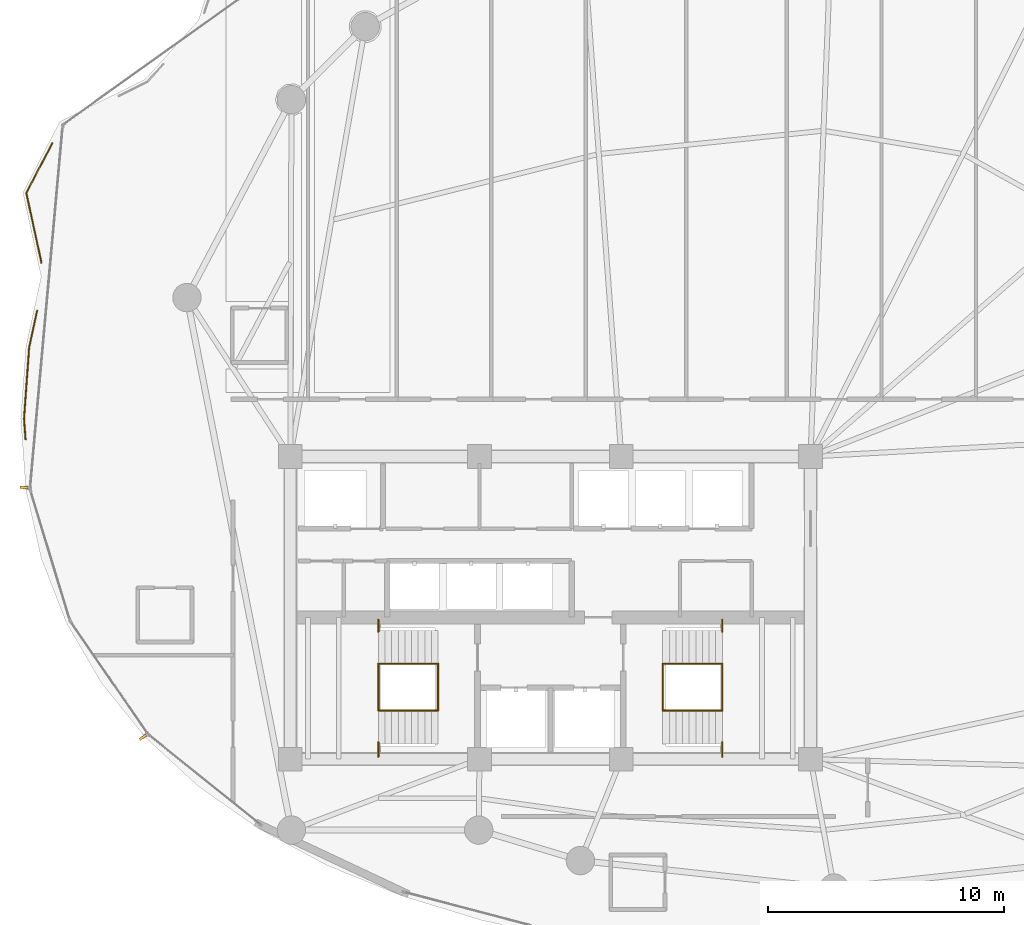
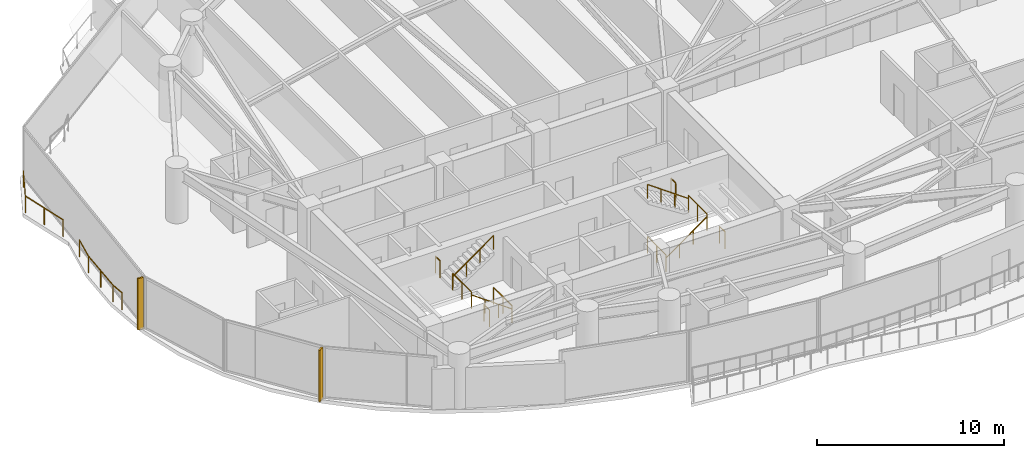
# One storey, part 31 of 33: 14 railings, 2 shading devices.
"""IFC4 building model written with IfcOpenShell, lengths in metres."""

from ifc_helpers import new_model, si_unit, direction, frame, origin, origin_2d, place, context, subcontext, project, spatial, rectangle, extrude, material, type_object, element, save


model = new_model("IFC4")

# Units and contexts
model_context = context("Model", 3, precision=1e-05, world=origin(), true_north=direction((0.0, 1.0)))
body_context = subcontext(model_context, "Body", "Model", "MODEL_VIEW")
ifc_project = project(units=[si_unit("LENGTHUNIT", "METRE"), si_unit("AREAUNIT", "SQUARE_METRE"), si_unit("VOLUMEUNIT", "CUBIC_METRE"), si_unit("PLANEANGLEUNIT", "RADIAN"), si_unit("MASSUNIT", "GRAM", prefix="KILO")], contexts=[model_context])

# Site, building, storey
site_placement = place(None, origin())
site = spatial("IfcSite", under=ifc_project, at=site_placement, CompositionType="ELEMENT")
building_placement = place(site_placement, origin())
building = spatial("IfcBuilding", under=site, at=building_placement, Name="Kazevale Care Tower and Concert Hall", CompositionType="ELEMENT")
storey_placement = place(building_placement, frame((0.0, 0.0, 145.800048828125)))
storey = spatial("IfcBuildingStorey", under=building, at=storey_placement, Name="L38", CompositionType="ELEMENT", Elevation=145.800048828125)

# Railings
ifc_material_1 = material(Name="Anodised Bronze Aluminium and Laminated Glass", Category="aluminium")
railing_type_1 = type_object("IfcRailingType", Name="Balcony and Terrace Balustrade 1120", PredefinedType="BALUSTRADE", material=ifc_material_1)
railing_1_placement = place(storey_placement, frame((10.802978515625, 37.1298828125, 0.0)))
element("IfcRailing", 1, at=railing_1_placement, inside=storey, type_object=railing_type_1, Name="rail:L38:perim:1", PredefinedType="BALUSTRADE", context=body_context, shape_type="SweptSolid", body=[
    extrude(rectangle(XDim=0.048095703125, YDim=0.048095703125, at=origin_2d()), frame((0.0, 0.0, 1.09619140625), z_axis=(-0.072201637043, 0.9973900559, 0.0), x_axis=(-0.9973900559, -0.072201637043, 0.0)), (0.0, 0.0, 1.0), 0.872314453125),
    extrude(rectangle(XDim=0.048095703125, YDim=0.048095703125, at=origin_2d()), frame((-0.06298828125, 0.8701171875, 1.09619140625), z_axis=(0.071442989214, 0.997444684828, 0.0), x_axis=(-0.997444684828, 0.071442989214, 0.0)), (0.0, 0.0, 1.0), 3.0107421875),
    extrude(rectangle(XDim=0.048095703125, YDim=0.048095703125, at=origin_2d()), frame((0.152099609375, 3.873046875, 1.09619140625), z_axis=(0.211602003156, 0.977355918926, 0.0), x_axis=(-0.977355918926, 0.211602003156, 0.0)), (0.0, 0.0, 1.0), 1.59228515625),
    extrude(rectangle(XDim=0.0419921875, YDim=0.0419921875, at=origin_2d()), origin(), (0.0, 0.0, 1.0), 1.072021484375),
    extrude(rectangle(XDim=0.0419921875, YDim=0.0419921875, at=origin_2d()), frame((-0.06298828125, 0.8701171875, 0.0)), (0.0, 0.0, 1.0), 1.072021484375),
    extrude(rectangle(XDim=0.0419921875, YDim=0.0419921875, at=origin_2d()), frame((0.04443359375, 2.37158203125, 0.0)), (0.0, 0.0, 1.0), 1.072021484375),
    extrude(rectangle(XDim=0.0419921875, YDim=0.0419921875, at=origin_2d()), frame((0.152099609375, 3.873046875, 0.0)), (0.0, 0.0, 1.0), 1.072021484375),
    extrude(rectangle(XDim=0.0419921875, YDim=0.0419921875, at=origin_2d()), frame((0.489013671875, 5.42919921875, 0.0)), (0.0, 0.0, 1.0), 1.072021484375),
])
railing_2_placement = place(storey_placement, frame((11.47607421875, 44.60400390625, 0.0)))
element("IfcRailing", 2, at=railing_2_placement, inside=storey, type_object=railing_type_1, Name="rail:L38:perim:2", PredefinedType="BALUSTRADE", context=body_context, shape_type="SweptSolid", body=[
    extrude(rectangle(XDim=0.048095703125, YDim=0.048095703125, at=origin_2d()), frame((0.0, 0.0, 1.09619140625), z_axis=(-0.212577968592, 0.977144107729, 0.0), x_axis=(-0.977144107729, -0.212577968592, 0.0)), (0.0, 0.0, 1.0), 3.006591796875),
    extrude(rectangle(XDim=0.048095703125, YDim=0.048095703125, at=origin_2d()), frame((-0.63916015625, 2.93798828125, 1.09619140625), z_axis=(0.461674148764, 0.887049592956, 0.0), x_axis=(-0.887049592956, 0.461674148764, 0.0)), (0.0, 0.0, 1.0), 2.367431640625),
    extrude(rectangle(XDim=0.0419921875, YDim=0.0419921875, at=origin_2d()), origin(), (0.0, 0.0, 1.0), 1.072021484375),
    extrude(rectangle(XDim=0.0419921875, YDim=0.0419921875, at=origin_2d()), frame((-0.319580078125, 1.468994140625, 0.0)), (0.0, 0.0, 1.0), 1.072021484375),
    extrude(rectangle(XDim=0.0419921875, YDim=0.0419921875, at=origin_2d()), frame((-0.63916015625, 2.93798828125, 0.0)), (0.0, 0.0, 1.0), 1.072021484375),
    extrude(rectangle(XDim=0.0419921875, YDim=0.0419921875, at=origin_2d()), frame((0.453857421875, 5.0380859375, 0.0)), (0.0, 0.0, 1.0), 1.072021484375),
])
ifc_material_2 = material(Name="Stainless Steel 316", Category="steel")
railing_type_2 = type_object("IfcRailingType", Name="Stair Pitch Handrail 920", PredefinedType="HANDRAIL", material=ifc_material_2)
railing_3_placement = place(storey_placement, frame((28.25, 25.659912109375, 0.0)))
element("IfcRailing", 3, at=railing_3_placement, inside=storey, type_object=railing_type_2, Name="stair:L38:ST1:hr1", PredefinedType="HANDRAIL", context=body_context, shape_type="SweptSolid", body=[
    extrude(rectangle(XDim=0.048095703125, YDim=0.048095703125, at=origin_2d()), frame((0.0, 0.0, 0.89599609375), z_axis=(-0.813728144527, 0.0, 0.581245650998), x_axis=(0.0, -1.0, 0.0)), (0.0, 0.0, 1.0), 3.096923828125),
    extrude(rectangle(XDim=0.0419921875, YDim=0.0419921875, at=origin_2d()), origin(), (0.0, 0.0, 1.0), 0.871826171875),
    extrude(rectangle(XDim=0.0419921875, YDim=0.0419921875, at=origin_2d()), frame((-0.840087890625, 0.0, 0.60009765625)), (0.0, 0.0, 1.0), 0.871826171875),
    extrude(rectangle(XDim=0.0419921875, YDim=0.0419921875, at=origin_2d()), frame((-1.679931640625, 0.0, 1.199951171875)), (0.0, 0.0, 1.0), 0.871826171875),
    extrude(rectangle(XDim=0.0419921875, YDim=0.0419921875, at=origin_2d()), frame((-2.52001953125, 0.0, 1.800048828125)), (0.0, 0.0, 1.0), 0.871826171875),
])
railing_4_placement = place(storey_placement, frame((25.72998046875, 27.639892578125, 1.800048828125)))
element("IfcRailing", 4, at=railing_4_placement, inside=storey, type_object=railing_type_2, Name="stair:L38:ST1:hr2", PredefinedType="HANDRAIL", context=body_context, shape_type="SweptSolid", body=[
    extrude(rectangle(XDim=0.048095703125, YDim=0.048095703125, at=origin_2d()), frame((0.0, 0.0, 0.89599609375), z_axis=(0.813765431312, 0.0, 0.581193446971), x_axis=(0.0, 1.0, 0.0)), (0.0, 0.0, 1.0), 3.0966796875),
    extrude(rectangle(XDim=0.0419921875, YDim=0.0419921875, at=origin_2d()), origin(), (0.0, 0.0, 1.0), 0.871826171875),
    extrude(rectangle(XDim=0.0419921875, YDim=0.0419921875, at=origin_2d()), frame((0.840087890625, 0.0, 0.599853515625)), (0.0, 0.0, 1.0), 0.871826171875),
    extrude(rectangle(XDim=0.0419921875, YDim=0.0419921875, at=origin_2d()), frame((1.679931640625, 0.0, 1.199951171875)), (0.0, 0.0, 1.0), 0.871826171875),
    extrude(rectangle(XDim=0.0419921875, YDim=0.0419921875, at=origin_2d()), frame((2.52001953125, 0.0, 1.7998046875)), (0.0, 0.0, 1.0), 0.871826171875),
])
railing_5_placement = place(storey_placement, frame((37.75, 25.659912109375, 0.0)))
element("IfcRailing", 5, at=railing_5_placement, inside=storey, type_object=railing_type_2, Name="stair:L38:ST2:hr1", PredefinedType="HANDRAIL", context=body_context, shape_type="SweptSolid", body=[
    extrude(rectangle(XDim=0.048095703125, YDim=0.048095703125, at=origin_2d()), frame((0.0, 0.0, 0.89599609375), z_axis=(0.813728144527, 0.0, 0.581245650998), x_axis=(0.0, 1.0, 0.0)), (0.0, 0.0, 1.0), 3.096923828125),
    extrude(rectangle(XDim=0.0419921875, YDim=0.0419921875, at=origin_2d()), origin(), (0.0, 0.0, 1.0), 0.871826171875),
    extrude(rectangle(XDim=0.0419921875, YDim=0.0419921875, at=origin_2d()), frame((0.840087890625, 0.0, 0.60009765625)), (0.0, 0.0, 1.0), 0.871826171875),
    extrude(rectangle(XDim=0.0419921875, YDim=0.0419921875, at=origin_2d()), frame((1.679931640625, 0.0, 1.199951171875)), (0.0, 0.0, 1.0), 0.871826171875),
    extrude(rectangle(XDim=0.0419921875, YDim=0.0419921875, at=origin_2d()), frame((2.52001953125, 0.0, 1.800048828125)), (0.0, 0.0, 1.0), 0.871826171875),
])
railing_6_placement = place(storey_placement, frame((40.27001953125, 27.639892578125, 1.800048828125)))
element("IfcRailing", 6, at=railing_6_placement, inside=storey, type_object=railing_type_2, Name="stair:L38:ST2:hr2", PredefinedType="HANDRAIL", context=body_context, shape_type="SweptSolid", body=[
    extrude(rectangle(XDim=0.048095703125, YDim=0.048095703125, at=origin_2d()), frame((0.0, 0.0, 0.89599609375), z_axis=(-0.813765431312, 0.0, 0.581193446971), x_axis=(0.0, -1.0, 0.0)), (0.0, 0.0, 1.0), 3.0966796875),
    extrude(rectangle(XDim=0.0419921875, YDim=0.0419921875, at=origin_2d()), origin(), (0.0, 0.0, 1.0), 0.871826171875),
    extrude(rectangle(XDim=0.0419921875, YDim=0.0419921875, at=origin_2d()), frame((-0.840087890625, 0.0, 0.599853515625)), (0.0, 0.0, 1.0), 0.871826171875),
    extrude(rectangle(XDim=0.0419921875, YDim=0.0419921875, at=origin_2d()), frame((-1.679931640625, 0.0, 1.199951171875)), (0.0, 0.0, 1.0), 0.871826171875),
    extrude(rectangle(XDim=0.0419921875, YDim=0.0419921875, at=origin_2d()), frame((-2.52001953125, 0.0, 1.7998046875)), (0.0, 0.0, 1.0), 0.871826171875),
])
railing_type_3 = type_object("IfcRailingType", Name="Stair Well Guard Balustrade 1120", PredefinedType="BALUSTRADE", material=ifc_material_2)
railing_7_placement = place(storey_placement, frame((25.72998046875, 23.699951171875, 1.800048828125)))
element("IfcRailing", 7, at=railing_7_placement, inside=storey, type_object=railing_type_3, Name="stair:L38:ST1:grd_side1", PredefinedType="BALUSTRADE", context=body_context, shape_type="SweptSolid", body=[
    extrude(rectangle(XDim=0.048095703125, YDim=0.048095703125, at=origin_2d()), frame((0.0, 0.0, 1.09619140625), z_axis=(0.0, 1.0, 0.0), x_axis=(-1.0, 0.0, 0.0)), (0.0, 0.0, 1.0), 0.610107421875),
    extrude(rectangle(XDim=0.0419921875, YDim=0.0419921875, at=origin_2d()), origin(), (0.0, 0.0, 1.0), 1.072021484375),
    extrude(rectangle(XDim=0.0419921875, YDim=0.0419921875, at=origin_2d()), frame((0.0, 0.610107421875, 0.0)), (0.0, 0.0, 1.0), 1.072021484375),
])
railing_8_placement = place(storey_placement, frame((25.72998046875, 28.989990234375, 1.800048828125)))
element("IfcRailing", 8, at=railing_8_placement, inside=storey, type_object=railing_type_3, Name="stair:L38:ST1:grd_side2", PredefinedType="BALUSTRADE", context=body_context, shape_type="SweptSolid", body=[
    extrude(rectangle(XDim=0.048095703125, YDim=0.048095703125, at=origin_2d()), frame((0.0, 0.0, 1.09619140625), z_axis=(0.0, 1.0, 0.0), x_axis=(-1.0, 0.0, 0.0)), (0.0, 0.0, 1.0), 0.510009765625),
    extrude(rectangle(XDim=0.0419921875, YDim=0.0419921875, at=origin_2d()), origin(), (0.0, 0.0, 1.0), 1.072021484375),
    extrude(rectangle(XDim=0.0419921875, YDim=0.0419921875, at=origin_2d()), frame((0.0, 0.510009765625, 0.0)), (0.0, 0.0, 1.0), 1.072021484375),
])
for number, where, name in (
    (9, (25.72998046875, 25.659912109375, 1.800048828125), "stair:L38:ST1:grd_mid"),
    (10, (28.25, 25.659912109375, 0.0), "stair:L38:ST1:grd_flr"),
):
    element("IfcRailing", number, at=place(storey_placement, frame(where)), inside=storey, type_object=railing_type_3, Name=name, PredefinedType="BALUSTRADE", context=body_context, shape_type="SweptSolid", body=[
        extrude(rectangle(XDim=0.048095703125, YDim=0.048095703125, at=origin_2d()), frame((0.0, 0.0, 1.09619140625), z_axis=(0.0, 1.0, 0.0), x_axis=(-1.0, 0.0, 0.0)), (0.0, 0.0, 1.0), 1.97998046875),
        extrude(rectangle(XDim=0.0419921875, YDim=0.0419921875, at=origin_2d()), origin(), (0.0, 0.0, 1.0), 1.072021484375),
        extrude(rectangle(XDim=0.0419921875, YDim=0.0419921875, at=origin_2d()), frame((0.0, 0.989990234375, 0.0)), (0.0, 0.0, 1.0), 1.072021484375),
        extrude(rectangle(XDim=0.0419921875, YDim=0.0419921875, at=origin_2d()), frame((0.0, 1.97998046875, 0.0)), (0.0, 0.0, 1.0), 1.072021484375),
    ])
railing_9_placement = place(storey_placement, frame((40.27001953125, 23.699951171875, 1.800048828125)))
element("IfcRailing", 11, at=railing_9_placement, inside=storey, type_object=railing_type_3, Name="stair:L38:ST2:grd_side1", PredefinedType="BALUSTRADE", context=body_context, shape_type="SweptSolid", body=[
    extrude(rectangle(XDim=0.048095703125, YDim=0.048095703125, at=origin_2d()), frame((0.0, 0.0, 1.09619140625), z_axis=(0.0, 1.0, 0.0), x_axis=(-1.0, 0.0, 0.0)), (0.0, 0.0, 1.0), 0.610107421875),
    extrude(rectangle(XDim=0.0419921875, YDim=0.0419921875, at=origin_2d()), origin(), (0.0, 0.0, 1.0), 1.072021484375),
    extrude(rectangle(XDim=0.0419921875, YDim=0.0419921875, at=origin_2d()), frame((0.0, 0.610107421875, 0.0)), (0.0, 0.0, 1.0), 1.072021484375),
])
railing_10_placement = place(storey_placement, frame((40.27001953125, 28.989990234375, 1.800048828125)))
element("IfcRailing", 12, at=railing_10_placement, inside=storey, type_object=railing_type_3, Name="stair:L38:ST2:grd_side2", PredefinedType="BALUSTRADE", context=body_context, shape_type="SweptSolid", body=[
    extrude(rectangle(XDim=0.048095703125, YDim=0.048095703125, at=origin_2d()), frame((0.0, 0.0, 1.09619140625), z_axis=(0.0, 1.0, 0.0), x_axis=(-1.0, 0.0, 0.0)), (0.0, 0.0, 1.0), 0.510009765625),
    extrude(rectangle(XDim=0.0419921875, YDim=0.0419921875, at=origin_2d()), origin(), (0.0, 0.0, 1.0), 1.072021484375),
    extrude(rectangle(XDim=0.0419921875, YDim=0.0419921875, at=origin_2d()), frame((0.0, 0.510009765625, 0.0)), (0.0, 0.0, 1.0), 1.072021484375),
])
for number, where, name in (
    (13, (40.27001953125, 25.659912109375, 1.800048828125), "stair:L38:ST2:grd_mid"),
    (14, (37.75, 25.659912109375, 0.0), "stair:L38:ST2:grd_flr"),
):
    element("IfcRailing", number, at=place(storey_placement, frame(where)), inside=storey, type_object=railing_type_3, Name=name, PredefinedType="BALUSTRADE", context=body_context, shape_type="SweptSolid", body=[
        extrude(rectangle(XDim=0.048095703125, YDim=0.048095703125, at=origin_2d()), frame((0.0, 0.0, 1.09619140625), z_axis=(0.0, 1.0, 0.0), x_axis=(-1.0, 0.0, 0.0)), (0.0, 0.0, 1.0), 1.97998046875),
        extrude(rectangle(XDim=0.0419921875, YDim=0.0419921875, at=origin_2d()), origin(), (0.0, 0.0, 1.0), 1.072021484375),
        extrude(rectangle(XDim=0.0419921875, YDim=0.0419921875, at=origin_2d()), frame((0.0, 0.989990234375, 0.0)), (0.0, 0.0, 1.0), 1.072021484375),
        extrude(rectangle(XDim=0.0419921875, YDim=0.0419921875, at=origin_2d()), frame((0.0, 1.97998046875, 0.0)), (0.0, 0.0, 1.0), 1.072021484375),
    ])

# Shading devices
ifc_material_3 = material(Name="Anodised Bronze Aluminium", Category="aluminium")
shading_device_type = type_object("IfcShadingDeviceType", Name="Waist Anodised Bronze-Stone Fin FIN-02", PredefinedType="USERDEFINED", material=ifc_material_3)
for number, where, z_axis, x_axis, name in (
    (15, (15.7705078125, 24.525634765625, 0.0), (0.0, 0.0, 1.0), (-0.823334533242, -0.567556381667, 0.0), "cw:L38:f11:fin"),
    (16, (10.74365234375, 35.0869140625, 0.0), (0.0, 0.0, 1.0), (-0.995963111248, 0.089763472712, 0.0), "cw:L38:f13:fin"),
):
    element("IfcShadingDevice", number, at=place(storey_placement, frame(where, z_axis=z_axis, x_axis=x_axis)), inside=storey, type_object=shading_device_type, Name=name, ObjectType="FIN", PredefinedType="USERDEFINED", context=body_context, shape_type="SweptSolid", body=[
        extrude(rectangle(XDim=0.340087890625, YDim=0.10009765625, at=origin_2d()), origin(), (0.0, 0.0, 1.0), 3.360107421875),
    ])

save(model, "model.ifc")
